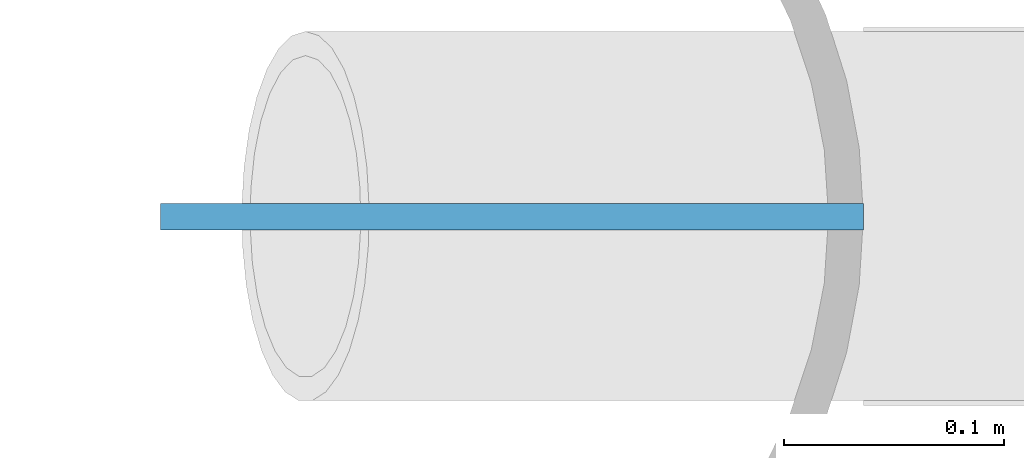
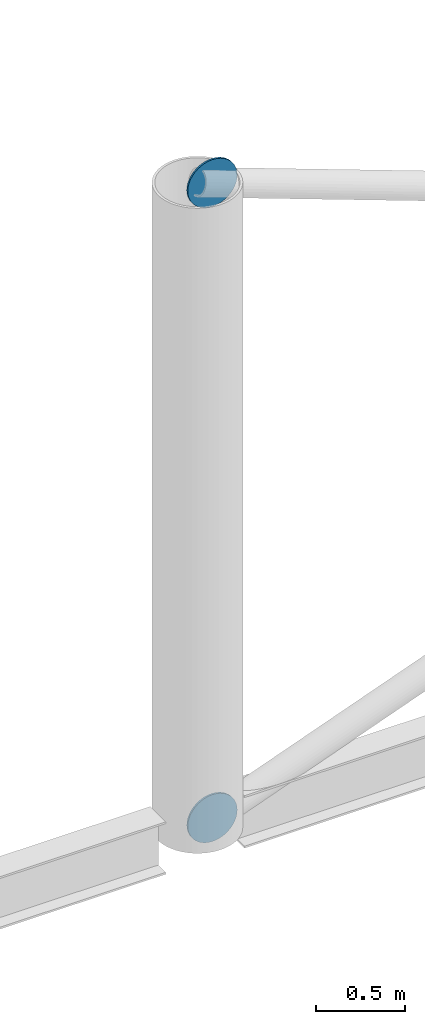
# One storey, part 64 of 95: 2 discrete accessories.
"""IFC4 building model written with IfcOpenShell, lengths in metres."""

from ifc_helpers import new_model, si_unit, direction, frame, origin, origin_2d, place, context, subcontext, project, spatial, circle, extrude, material, layer, layer_set, type_object, element, save


model = new_model("IFC4")

# Units and contexts
model_context = context("Model", 3, precision=1e-05, world=origin(), true_north=direction((0.0, 1.0)))
body_context = subcontext(model_context, "Body", "Model", "MODEL_VIEW")
ifc_project = project(units=[si_unit("LENGTHUNIT", "METRE"), si_unit("AREAUNIT", "SQUARE_METRE"), si_unit("VOLUMEUNIT", "CUBIC_METRE"), si_unit("PLANEANGLEUNIT", "RADIAN"), si_unit("MASSUNIT", "GRAM", prefix="KILO")], contexts=[model_context])

# Site, building, storey
site_placement = place(None, origin())
site = spatial("IfcSite", under=ifc_project, at=site_placement, CompositionType="ELEMENT")
building_placement = place(site_placement, origin())
building = spatial("IfcBuilding", under=site, at=building_placement, Name="Windward Yard Aquatics Centre", CompositionType="ELEMENT")
storey_placement = place(building_placement, frame((0.0, 0.0, 9.39990234375)))
storey = spatial("IfcBuildingStorey", under=building, at=storey_placement, Name="L02", CompositionType="ELEMENT", Elevation=9.39990234375)

# Discrete accessories
ifc_material = material(Name="Steel S355", Category="steel")
ifc_layer = layer(ifc_material, 0.011962890625)
ifc_layer_set = layer_set([ifc_layer], Name="Gusset plate 320 mm disc 12 mm")
discrete_accessory_type = type_object("IfcDiscreteAccessoryType", Name="Gusset plate 320 mm disc 12 mm", PredefinedType="USERDEFINED", material=ifc_layer_set)
for number, where, z_axis, x_axis, name in (
    (1, (132.093994140625, 41.593994140625, 0.034423828125), (0.0, 1.0, 0.0), (-1.0, 0.0, 0.0), "Gusset plate"),
    (2, (132.093994140625, 41.593994140625, 4.36572265625), (0.0, 1.0, 0.0), (-1.0, 0.0, 0.0), "Gusset plate"),
):
    element("IfcDiscreteAccessory", number, at=place(storey_placement, frame(where, z_axis=z_axis, x_axis=x_axis)), inside=storey, type_object=discrete_accessory_type, Name=name, ObjectType="GUSSET PLATE", PredefinedType="USERDEFINED", context=body_context, shape_type="SweptSolid", body=[
        extrude(circle(Radius=0.159912109375, at=origin_2d()), origin(), (0.0, 0.0, 1.0), 0.011962890625),
    ])

save(model, "model.ifc")
